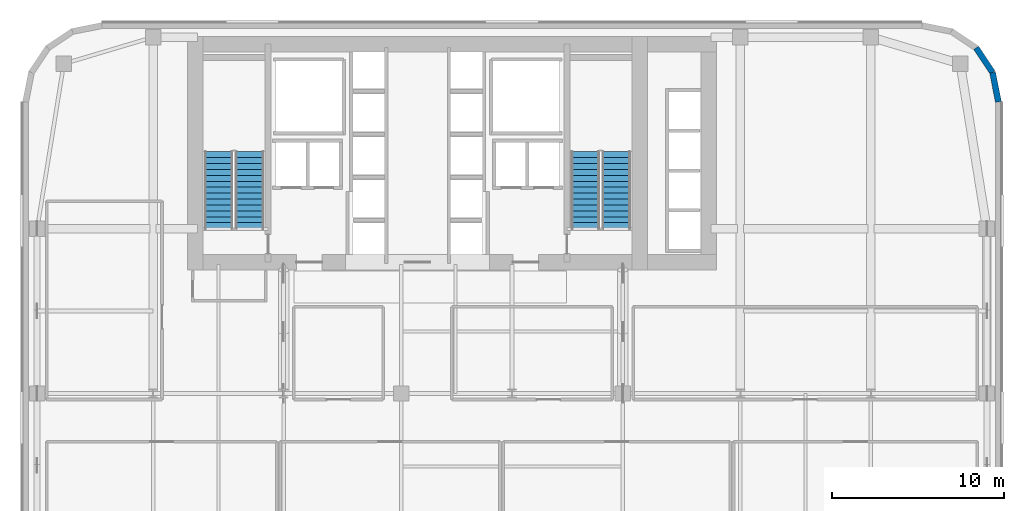
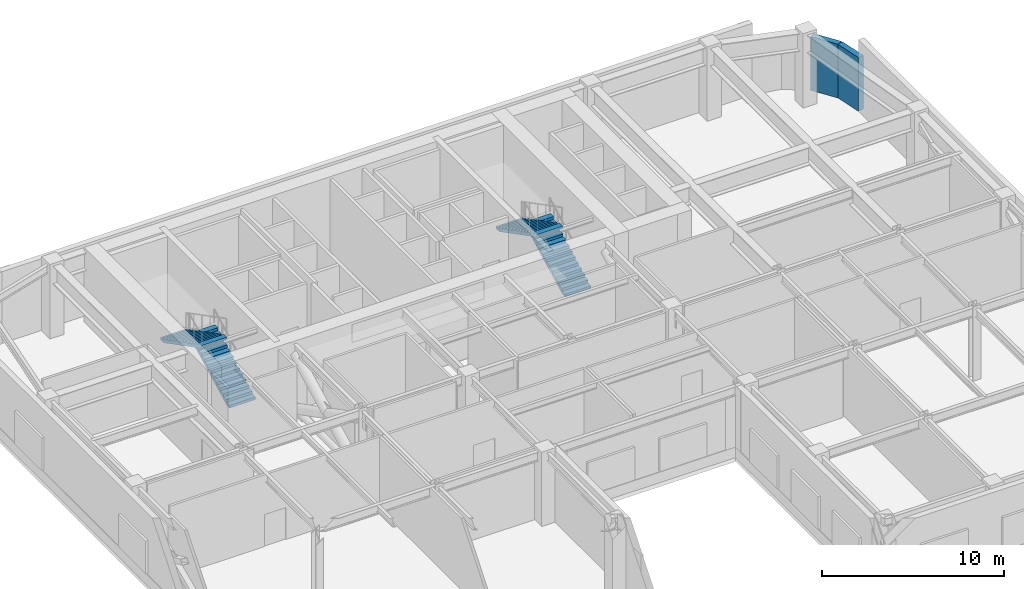
# One storey, part 6 of 11: 4 stair flights, 2 walls, 2 elements without a shape of their own.
"""IFC4 building model written with IfcOpenShell, lengths in metres."""

import ifcopenshell
import ifcopenshell.guid

model = None  # the IFC model being written
_history = None  # IfcOwnerHistory: only IFC2X3 demands one
_inside = {}  # id of a spatial element -> (the spatial element, [elements in it])
_under = {}  # id of a project, library or spatial element -> (it, [spatial elements below it])
_declared = {}  # id of a project -> (the project, [libraries it declares])
_typed = {}  # id of a type object -> (the type object, [elements of that type])
_made_of = {}  # id of a material, layer set ... -> (it, [elements and type objects made of it])


def new_model(schema):
    """Start an empty IFC model of exactly this schema.

    Asked for "IFC4X3", IfcOpenShell would pick the latest addendum, in which some entities
    have other attributes; the version numbers below select the first issue.
    IFC2X3 requires an IfcOwnerHistory on every rooted entity: one is made here for all.
    """
    global model, _history
    if schema == "IFC4X3":
        model = ifcopenshell.file(schema_version=(4, 3, 0, 0))
    else:
        model = ifcopenshell.file(schema=schema)
    _inside.clear()
    _under.clear()
    _declared.clear()
    _typed.clear()
    _made_of.clear()
    _history = None
    if model.schema == "IFC2X3":
        org = make("IfcOrganization", Name="unknown")
        user = make(
            "IfcPersonAndOrganization",
            ThePerson=make("IfcPerson", FamilyName="unknown"),
            TheOrganization=org,
        )
        app = make(
            "IfcApplication",
            ApplicationDeveloper=org,
            Version="unknown",
            ApplicationFullName="unknown",
            ApplicationIdentifier="unknown",
        )
        _history = make(
            "IfcOwnerHistory",
            OwningUser=user,
            OwningApplication=app,
            ChangeAction="ADDED",
            CreationDate=0,
        )
    return model


def make(cls, **values):
    """One entity of the class cls with the attributes given. An attribute that is None is left unset."""
    return model.create_entity(
        cls, **{name: value for name, value in values.items() if value is not None}
    )


def rooted(cls, **values):
    """An entity with a GlobalId (a new one), such as an element, a storey or a relation."""
    return make(cls, GlobalId=ifcopenshell.guid.new(), OwnerHistory=_history, **values)


def si_unit(unit_type, name, prefix=None):
    """IfcSIUnit, for example si_unit("LENGTHUNIT", "METRE", prefix="MILLI")."""
    return make("IfcSIUnit", UnitType=unit_type, Prefix=prefix, Name=name)


def assignment(units):
    """IfcUnitAssignment: the units of a project."""
    return None if units is None else make("IfcUnitAssignment", Units=units)


def point(xyz):
    """IfcCartesianPoint."""
    return None if xyz is None else make("IfcCartesianPoint", Coordinates=xyz)


def direction(xyz):
    """IfcDirection."""
    return None if xyz is None else make("IfcDirection", DirectionRatios=xyz)


def frame(location, z_axis=None, x_axis=None):
    """IfcAxis2Placement3D, a coordinate frame: its origin and axes. An axis left out is left unset."""
    return make(
        "IfcAxis2Placement3D",
        Location=point(location),
        Axis=direction(z_axis),
        RefDirection=direction(x_axis),
    )


def frame_2d(location, x_axis=None):
    """IfcAxis2Placement2D, a coordinate frame in the plane: its origin and x axis."""
    return make(
        "IfcAxis2Placement2D", Location=point(location), RefDirection=direction(x_axis)
    )


def origin():
    """The frame at (0, 0, 0) with its axes left unset."""
    return frame((0.0, 0.0, 0.0))


def place(relative_to, where):
    """IfcLocalPlacement: puts the frame where relative to a parent placement (None: the world)."""
    return make(
        "IfcLocalPlacement", PlacementRelTo=relative_to, RelativePlacement=where
    )


def context(
    kind, dimensions, precision=None, world=None, true_north=None, identifier=None
):
    """IfcGeometricRepresentationContext, for example the 3D "Model" context."""
    return make(
        "IfcGeometricRepresentationContext",
        ContextIdentifier=identifier,
        ContextType=kind,
        CoordinateSpaceDimension=dimensions,
        Precision=precision,
        WorldCoordinateSystem=world,
        TrueNorth=true_north,
    )


def subcontext(parent, identifier, kind, view, scale=None):
    """IfcGeometricRepresentationSubContext, for example "Body" below "Model"."""
    return make(
        "IfcGeometricRepresentationSubContext",
        ContextIdentifier=identifier,
        ContextType=kind,
        ParentContext=parent,
        TargetScale=scale,
        TargetView=view,
    )


def project(units=None, contexts=None):
    """IfcProject with its units and contexts."""
    return rooted(
        "IfcProject",
        Name="project",
        RepresentationContexts=contexts,
        UnitsInContext=assignment(units),
    )


def spatial(cls, under=None, at=None, **own):
    """A site, building, storey or space (cls), placed at a placement, below another one or the project."""
    s = rooted(cls, ObjectPlacement=at, **own)
    if under is not None:
        _under.setdefault(under.id(), (under, []))[1].append(s)
    return s


def polyline(points):
    """IfcPolyline through the points."""
    return make("IfcPolyline", Points=[point(p) for p in points])


def profile(cls, at=None, kind="AREA", **sizes):
    """A parametric profile (cls). Its sizes go by their IFC names, for example OverallWidth=200.0."""
    return make(cls, ProfileType=kind, Position=at, **sizes)


def rectangle(**sizes):
    """IfcRectangleProfileDef."""
    return profile("IfcRectangleProfileDef", **sizes)


def outline(outer, holes=None, kind="AREA"):
    """IfcArbitraryClosedProfileDef: a profile drawn as a closed curve; with holes, ...WithVoids."""
    if holes is None:
        return make("IfcArbitraryClosedProfileDef", ProfileType=kind, OuterCurve=outer)
    return make(
        "IfcArbitraryProfileDefWithVoids",
        ProfileType=kind,
        OuterCurve=outer,
        InnerCurves=holes,
    )


def extrude(swept, where, along, depth):
    """IfcExtrudedAreaSolid: the profile swept, set in the frame where, extruded along a direction by depth."""
    return make(
        "IfcExtrudedAreaSolid",
        SweptArea=swept,
        Position=where,
        ExtrudedDirection=direction(along),
        Depth=depth,
    )


def shape(context_of_items, identifier, shape_type, items):
    """IfcShapeRepresentation: the items that make up one representation, for example the "Body"."""
    return make(
        "IfcShapeRepresentation",
        ContextOfItems=context_of_items,
        RepresentationIdentifier=identifier,
        RepresentationType=shape_type,
        Items=items,
    )


def material(Name=None, Category=None):
    """IfcMaterial."""
    return make("IfcMaterial", Name=Name, Category=Category)


def layer(
    of_material, thickness, ventilated=None, Name=None, Category=None, Priority=None
):
    """IfcMaterialLayer: one layer of a wall or slab, of a material (None: an air gap)."""
    return make(
        "IfcMaterialLayer",
        Material=of_material,
        LayerThickness=thickness,
        IsVentilated=ventilated,
        Name=Name,
        Category=Category,
        Priority=Priority,
    )


def layer_set(layers, Name=None):
    """IfcMaterialLayerSet."""
    return make("IfcMaterialLayerSet", MaterialLayers=layers, LayerSetName=Name)


def made_of(thing, what):
    """Note that an element or type object is made of a material, layer set ...; save() writes the relation."""
    if what is not None:
        _made_of.setdefault(what.id(), (what, []))[1].append(thing)
    return thing


def type_object(cls, material=None, **own):
    """A type object (cls), such as IfcWallType, which elements share."""
    return made_of(rooted(cls, **own), material)


def element(
    cls,
    number,
    at=None,
    inside=None,
    cuts=None,
    type_object=None,
    material=None,
    context=None,
    identifier="Body",
    shape_type=None,
    held_by="IfcProductDefinitionShape",
    body=None,
    shapes=None,
    **own,
):
    """One element of the class cls, such as IfcWall. Its Tag is "e" and its number.

    at: its placement. inside: the storey or other place that contains it. cuts: it is an
    opening in that element (IfcRelVoidsElement). A single representation is given by context,
    identifier, shape_type and body (its items); several are given by shapes. held_by: the class
    of the entity that holds the representations. save() writes the other relations.
    """
    e = rooted(cls, Tag="e%d" % number, ObjectPlacement=at, **own)
    if body is not None:
        shapes = [shape(context, identifier, shape_type, body)]
    if shapes is not None:
        e.Representation = make(held_by, Representations=shapes)
    if inside is not None:
        _inside.setdefault(inside.id(), (inside, []))[1].append(e)
    if cuts is not None:
        rooted(
            "IfcRelVoidsElement", RelatingBuildingElement=cuts, RelatedOpeningElement=e
        )
    if type_object is not None:
        _typed.setdefault(type_object.id(), (type_object, []))[1].append(e)
    return made_of(e, material)


def aggregate(whole, parts):
    """IfcRelAggregates: a whole, such as a stair, and the parts it consists of."""
    return rooted("IfcRelAggregates", RelatingObject=whole, RelatedObjects=parts)


def save(model, path):
    """Write the relations noted so far, then the file.

    IfcRelAggregates (storeys below a building ...), IfcRelContainedInSpatialStructure (elements
    in a storey), IfcRelDefinesByType, IfcRelAssociatesMaterial and IfcRelDeclares: one each for
    every whole, place, type object, material and project.
    """
    for whole, parts in _under.values():
        aggregate(whole, parts)
    for where, things in _inside.values():
        rooted(
            "IfcRelContainedInSpatialStructure",
            RelatedElements=things,
            RelatingStructure=where,
        )
    for kind, things in _typed.values():
        rooted("IfcRelDefinesByType", RelatedObjects=things, RelatingType=kind)
    for what, things in _made_of.values():
        rooted("IfcRelAssociatesMaterial", RelatedObjects=things, RelatingMaterial=what)
    for by, libraries in _declared.values():
        rooted("IfcRelDeclares", RelatingContext=by, RelatedDefinitions=libraries)
    model.write(path)


model = new_model("IFC4")

# Units and contexts
model_context = context("Model", 3, precision=1e-05, world=origin(), true_north=direction((0.0, 1.0)))
body_context = subcontext(model_context, "Body", "Model", "MODEL_VIEW")
ifc_project = project(units=[si_unit("LENGTHUNIT", "METRE"), si_unit("AREAUNIT", "SQUARE_METRE"), si_unit("VOLUMEUNIT", "CUBIC_METRE"), si_unit("PLANEANGLEUNIT", "RADIAN"), si_unit("MASSUNIT", "GRAM", prefix="KILO")], contexts=[model_context])

# Site, building, storey
site_placement = place(None, origin())
site = spatial("IfcSite", under=ifc_project, at=site_placement, CompositionType="ELEMENT")
building_placement = place(site_placement, origin())
building = spatial("IfcBuilding", under=site, at=building_placement, Name="Tolvann Quenvar Hotel", CompositionType="ELEMENT")
storey_placement = place(building_placement, frame((0.0, 0.0, 95.89990234375)))
storey = spatial("IfcBuildingStorey", under=building, at=storey_placement, Name="L24", CompositionType="ELEMENT", Elevation=95.89990234375)

# Walls
ifc_material_1 = material(Name="Kiln-fired red and buff architectural clay brickwork and terracotta masonry", Category="masonry")
ifc_layer = layer(ifc_material_1, 0.35009765625)
ifc_layer_set = layer_set([ifc_layer], Name="Kiln-fired red and buff architectural clay brickwork and terracotta masonry")
wall_type = type_object("IfcWallType", Name="WALL_EXT_BRICK_350", PredefinedType="SOLIDWALL", material=ifc_layer_set)
wall_1_placement = place(storey_placement, frame((56.824951171875, 41.3828125, 0.0), z_axis=(0.0, 0.0, 1.0), x_axis=(-0.195011420161, 0.980800971659, 0.0)))
element("IfcWall", 1, at=wall_1_placement, inside=storey, type_object=wall_type, Name="Exterior Chicago Brick Wall L24-E14", PredefinedType="SOLIDWALL", context=body_context, shape_type="SweptSolid", body=[
    extrude(rectangle(XDim=1.74267578125, YDim=0.35009765625, at=frame_2d((0.871337890625, 0.0))), origin(), (0.0, 0.0, 1.0), 3.610107421875),
])
wall_2_placement = place(storey_placement, frame((56.485107421875, 43.092041015625, 0.0), z_axis=(0.0, 0.0, 1.0), x_axis=(-0.55554893791, 0.831483840845, 0.0)))
element("IfcWall", 2, at=wall_2_placement, inside=storey, type_object=wall_type, Name="Exterior Chicago Brick Wall L24-E15", PredefinedType="SOLIDWALL", context=body_context, shape_type="SweptSolid", body=[
    extrude(rectangle(XDim=1.725341796875, YDim=0.35009765625, at=frame_2d((0.86279296875, 0.0))), origin(), (0.0, 0.0, 1.0), 3.610107421875),
])

# Stair, stair flights
ifc_material_2 = material(Name="Concrete N40 (40 MPa)", Category="concrete")
stair_type = type_object("IfcStairType", Name="STAIR", PredefinedType="HALF_TURN_STAIR", material=ifc_material_2)
stair_1_placement = place(storey_placement, origin())
stair_1 = element("IfcStair", 3, at=stair_1_placement, inside=storey, type_object=stair_type, Name="L24 ST-C1", PredefinedType="HALF_TURN_STAIR")
stair_flight_type = type_object("IfcStairFlightType", Name="STAIR_FLIGHT", PredefinedType="STRAIGHT", material=ifc_material_2)
stair_flight_1_placement = place(storey_placement, frame((13.22509765625, 34.0, 0.0), z_axis=(0.0, 0.0, 1.0), x_axis=(0.0, 1.0, 0.0)))
stair_flight_1 = element("IfcStairFlight", 4, at=stair_flight_1_placement, type_object=stair_flight_type, Name="ST-C1 flight 1", NumberOfRisers=14, NumberOfTreads=13, PredefinedType="STRAIGHT", RiserHeight=0.178571429, TreadLength=0.345, context=body_context, shape_type="SweptSolid", body=[
    extrude(outline(polyline([(0.0, 0.0), (0.0, 0.178466796875), (0.344970703125, 0.178466796875), (0.344970703125, 0.357177734375), (0.68994140625, 0.357177734375), (0.68994140625, 0.53564453125), (1.034912109375, 0.53564453125), (1.034912109375, 0.71435546875), (1.3798828125, 0.71435546875), (1.3798828125, 0.892822265625), (1.72509765625, 0.892822265625), (1.72509765625, 1.071533203125), (2.070068359375, 1.071533203125), (2.070068359375, 1.25), (2.4150390625, 1.25), (2.4150390625, 1.428466796875), (2.760009765625, 1.428466796875), (2.760009765625, 1.607177734375), (3.10498046875, 1.607177734375), (3.10498046875, 1.78564453125), (3.449951171875, 1.78564453125), (3.449951171875, 1.96435546875), (3.794921875, 1.96435546875), (3.794921875, 2.142822265625), (4.139892578125, 2.142822265625), (4.139892578125, 2.321533203125), (4.485107421875, 2.321533203125), (4.485107421875, 2.5), (4.485107421875, 2.152587890625), (0.326171875, 0.0), (0.0, 0.0)])), frame((0.0, 0.824951171875, 0.0), z_axis=(0.0, -1.0, 0.0), x_axis=(1.0, 0.0, 0.0)), (0.0, 0.0, 1.0), 1.64990234375),
])
stair_flight_2_placement = place(storey_placement, frame((11.425048828125, 38.485107421875, 2.5), z_axis=(0.0, 0.0, 1.0), x_axis=(0.0, -1.0, 0.0)))
stair_flight_2 = element("IfcStairFlight", 5, at=stair_flight_2_placement, type_object=stair_flight_type, Name="ST-C1 flight 2", NumberOfRisers=14, NumberOfTreads=13, PredefinedType="STRAIGHT", RiserHeight=0.178571429, TreadLength=0.345, context=body_context, shape_type="SweptSolid", body=[
    extrude(outline(polyline([(0.0, 0.0), (0.0, 0.178466796875), (0.344970703125, 0.178466796875), (0.344970703125, 0.357177734375), (0.68994140625, 0.357177734375), (0.68994140625, 0.53564453125), (1.034912109375, 0.53564453125), (1.034912109375, 0.71435546875), (1.3798828125, 0.71435546875), (1.3798828125, 0.892822265625), (1.72509765625, 0.892822265625), (1.72509765625, 1.071533203125), (2.070068359375, 1.071533203125), (2.070068359375, 1.25), (2.4150390625, 1.25), (2.4150390625, 1.428466796875), (2.760009765625, 1.428466796875), (2.760009765625, 1.607177734375), (3.10498046875, 1.607177734375), (3.10498046875, 1.78564453125), (3.449951171875, 1.78564453125), (3.449951171875, 1.96435546875), (3.794921875, 1.96435546875), (3.794921875, 2.142822265625), (4.139892578125, 2.142822265625), (4.139892578125, 2.321533203125), (4.485107421875, 2.321533203125), (4.485107421875, 2.5), (4.485107421875, 2.152587890625), (0.326171875, 0.0), (0.0, 0.0)])), frame((0.0, 0.824951171875, 0.0), z_axis=(0.0, -1.0, 0.0), x_axis=(1.0, 0.0, 0.0)), (0.0, 0.0, 1.0), 1.64990234375),
])
aggregate(stair_1, [stair_flight_1, stair_flight_2])

stair_2_placement = place(storey_placement, origin())
stair_2 = element("IfcStair", 6, at=stair_2_placement, inside=storey, type_object=stair_type, Name="L24 ST-C2", PredefinedType="HALF_TURN_STAIR")
stair_flight_3_placement = place(storey_placement, frame((34.574951171875, 34.0, 0.0), z_axis=(0.0, 0.0, 1.0), x_axis=(0.0, 1.0, 0.0)))
stair_flight_3 = element("IfcStairFlight", 7, at=stair_flight_3_placement, type_object=stair_flight_type, Name="ST-C2 flight 1", NumberOfRisers=14, NumberOfTreads=13, PredefinedType="STRAIGHT", RiserHeight=0.178571429, TreadLength=0.345, context=body_context, shape_type="SweptSolid", body=[
    extrude(outline(polyline([(0.0, 0.0), (0.0, 0.178466796875), (0.344970703125, 0.178466796875), (0.344970703125, 0.357177734375), (0.68994140625, 0.357177734375), (0.68994140625, 0.53564453125), (1.034912109375, 0.53564453125), (1.034912109375, 0.71435546875), (1.3798828125, 0.71435546875), (1.3798828125, 0.892822265625), (1.72509765625, 0.892822265625), (1.72509765625, 1.071533203125), (2.070068359375, 1.071533203125), (2.070068359375, 1.25), (2.4150390625, 1.25), (2.4150390625, 1.428466796875), (2.760009765625, 1.428466796875), (2.760009765625, 1.607177734375), (3.10498046875, 1.607177734375), (3.10498046875, 1.78564453125), (3.449951171875, 1.78564453125), (3.449951171875, 1.96435546875), (3.794921875, 1.96435546875), (3.794921875, 2.142822265625), (4.139892578125, 2.142822265625), (4.139892578125, 2.321533203125), (4.485107421875, 2.321533203125), (4.485107421875, 2.5), (4.485107421875, 2.152587890625), (0.326171875, 0.0), (0.0, 0.0)])), frame((0.0, 0.824951171875, 0.0), z_axis=(0.0, -1.0, 0.0), x_axis=(1.0, 0.0, 0.0)), (0.0, 0.0, 1.0), 1.64990234375),
])
stair_flight_4_placement = place(storey_placement, frame((32.77490234375, 38.485107421875, 2.5), z_axis=(0.0, 0.0, 1.0), x_axis=(0.0, -1.0, 0.0)))
stair_flight_4 = element("IfcStairFlight", 8, at=stair_flight_4_placement, type_object=stair_flight_type, Name="ST-C2 flight 2", NumberOfRisers=14, NumberOfTreads=13, PredefinedType="STRAIGHT", RiserHeight=0.178571429, TreadLength=0.345, context=body_context, shape_type="SweptSolid", body=[
    extrude(outline(polyline([(0.0, 0.0), (0.0, 0.178466796875), (0.344970703125, 0.178466796875), (0.344970703125, 0.357177734375), (0.68994140625, 0.357177734375), (0.68994140625, 0.53564453125), (1.034912109375, 0.53564453125), (1.034912109375, 0.71435546875), (1.3798828125, 0.71435546875), (1.3798828125, 0.892822265625), (1.72509765625, 0.892822265625), (1.72509765625, 1.071533203125), (2.070068359375, 1.071533203125), (2.070068359375, 1.25), (2.4150390625, 1.25), (2.4150390625, 1.428466796875), (2.760009765625, 1.428466796875), (2.760009765625, 1.607177734375), (3.10498046875, 1.607177734375), (3.10498046875, 1.78564453125), (3.449951171875, 1.78564453125), (3.449951171875, 1.96435546875), (3.794921875, 1.96435546875), (3.794921875, 2.142822265625), (4.139892578125, 2.142822265625), (4.139892578125, 2.321533203125), (4.485107421875, 2.321533203125), (4.485107421875, 2.5), (4.485107421875, 2.152587890625), (0.326171875, 0.0), (0.0, 0.0)])), frame((0.0, 0.824951171875, 0.0), z_axis=(0.0, -1.0, 0.0), x_axis=(1.0, 0.0, 0.0)), (0.0, 0.0, 1.0), 1.64990234375),
])
aggregate(stair_2, [stair_flight_3, stair_flight_4])

save(model, "model.ifc")
